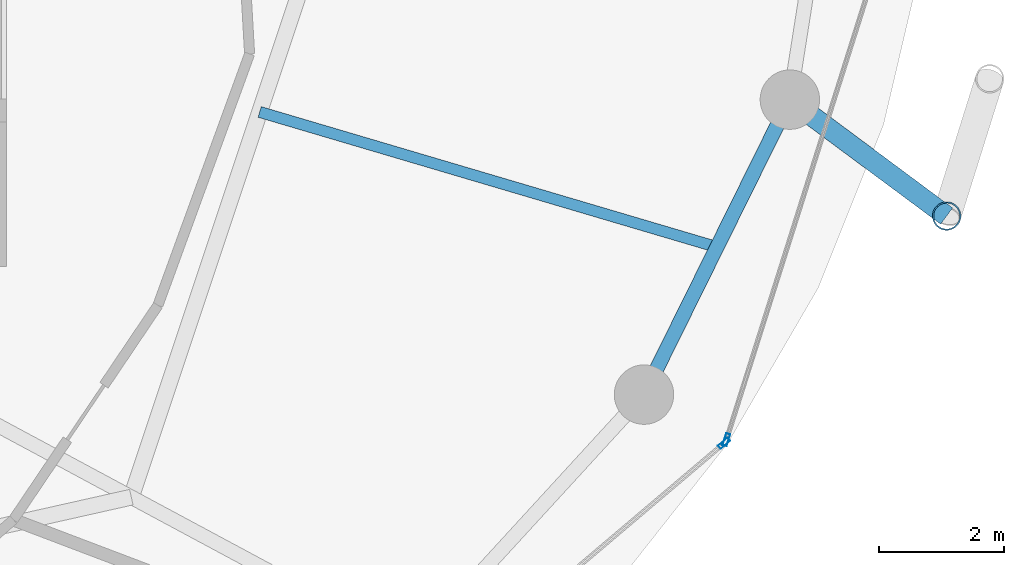
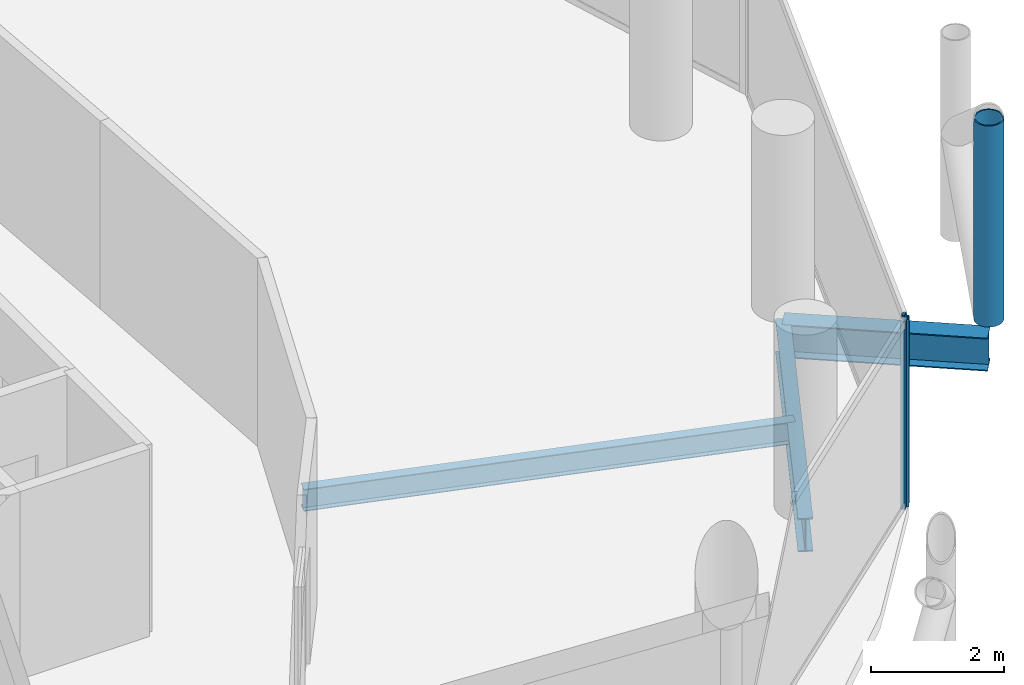
# One storey, part 10 of 26: 3 beams, 3 members, 2 elements without a shape of their own.
"""IFC4 building model written with IfcOpenShell, lengths in metres."""

import ifcopenshell
import ifcopenshell.guid

model = None  # the IFC model being written
_history = None  # IfcOwnerHistory: only IFC2X3 demands one
_inside = {}  # id of a spatial element -> (the spatial element, [elements in it])
_under = {}  # id of a project, library or spatial element -> (it, [spatial elements below it])
_declared = {}  # id of a project -> (the project, [libraries it declares])
_typed = {}  # id of a type object -> (the type object, [elements of that type])
_made_of = {}  # id of a material, layer set ... -> (it, [elements and type objects made of it])


def new_model(schema):
    """Start an empty IFC model of exactly this schema.

    Asked for "IFC4X3", IfcOpenShell would pick the latest addendum, in which some entities
    have other attributes; the version numbers below select the first issue.
    IFC2X3 requires an IfcOwnerHistory on every rooted entity: one is made here for all.
    """
    global model, _history
    if schema == "IFC4X3":
        model = ifcopenshell.file(schema_version=(4, 3, 0, 0))
    else:
        model = ifcopenshell.file(schema=schema)
    _inside.clear()
    _under.clear()
    _declared.clear()
    _typed.clear()
    _made_of.clear()
    _history = None
    if model.schema == "IFC2X3":
        org = make("IfcOrganization", Name="unknown")
        user = make(
            "IfcPersonAndOrganization",
            ThePerson=make("IfcPerson", FamilyName="unknown"),
            TheOrganization=org,
        )
        app = make(
            "IfcApplication",
            ApplicationDeveloper=org,
            Version="unknown",
            ApplicationFullName="unknown",
            ApplicationIdentifier="unknown",
        )
        _history = make(
            "IfcOwnerHistory",
            OwningUser=user,
            OwningApplication=app,
            ChangeAction="ADDED",
            CreationDate=0,
        )
    return model


def make(cls, **values):
    """One entity of the class cls with the attributes given. An attribute that is None is left unset."""
    return model.create_entity(
        cls, **{name: value for name, value in values.items() if value is not None}
    )


def rooted(cls, **values):
    """An entity with a GlobalId (a new one), such as an element, a storey or a relation."""
    return make(cls, GlobalId=ifcopenshell.guid.new(), OwnerHistory=_history, **values)


def si_unit(unit_type, name, prefix=None):
    """IfcSIUnit, for example si_unit("LENGTHUNIT", "METRE", prefix="MILLI")."""
    return make("IfcSIUnit", UnitType=unit_type, Prefix=prefix, Name=name)


def assignment(units):
    """IfcUnitAssignment: the units of a project."""
    return None if units is None else make("IfcUnitAssignment", Units=units)


def point(xyz):
    """IfcCartesianPoint."""
    return None if xyz is None else make("IfcCartesianPoint", Coordinates=xyz)


def direction(xyz):
    """IfcDirection."""
    return None if xyz is None else make("IfcDirection", DirectionRatios=xyz)


def frame(location, z_axis=None, x_axis=None):
    """IfcAxis2Placement3D, a coordinate frame: its origin and axes. An axis left out is left unset."""
    return make(
        "IfcAxis2Placement3D",
        Location=point(location),
        Axis=direction(z_axis),
        RefDirection=direction(x_axis),
    )


def frame_2d(location, x_axis=None):
    """IfcAxis2Placement2D, a coordinate frame in the plane: its origin and x axis."""
    return make(
        "IfcAxis2Placement2D", Location=point(location), RefDirection=direction(x_axis)
    )


def origin():
    """The frame at (0, 0, 0) with its axes left unset."""
    return frame((0.0, 0.0, 0.0))


def origin_2d():
    """The frame at (0, 0) in the plane with its x axis left unset."""
    return frame_2d((0.0, 0.0))


def place(relative_to, where):
    """IfcLocalPlacement: puts the frame where relative to a parent placement (None: the world)."""
    return make(
        "IfcLocalPlacement", PlacementRelTo=relative_to, RelativePlacement=where
    )


def context(
    kind, dimensions, precision=None, world=None, true_north=None, identifier=None
):
    """IfcGeometricRepresentationContext, for example the 3D "Model" context."""
    return make(
        "IfcGeometricRepresentationContext",
        ContextIdentifier=identifier,
        ContextType=kind,
        CoordinateSpaceDimension=dimensions,
        Precision=precision,
        WorldCoordinateSystem=world,
        TrueNorth=true_north,
    )


def subcontext(parent, identifier, kind, view, scale=None):
    """IfcGeometricRepresentationSubContext, for example "Body" below "Model"."""
    return make(
        "IfcGeometricRepresentationSubContext",
        ContextIdentifier=identifier,
        ContextType=kind,
        ParentContext=parent,
        TargetScale=scale,
        TargetView=view,
    )


def project(units=None, contexts=None):
    """IfcProject with its units and contexts."""
    return rooted(
        "IfcProject",
        Name="project",
        RepresentationContexts=contexts,
        UnitsInContext=assignment(units),
    )


def spatial(cls, under=None, at=None, **own):
    """A site, building, storey or space (cls), placed at a placement, below another one or the project."""
    s = rooted(cls, ObjectPlacement=at, **own)
    if under is not None:
        _under.setdefault(under.id(), (under, []))[1].append(s)
    return s


def profile(cls, at=None, kind="AREA", **sizes):
    """A parametric profile (cls). Its sizes go by their IFC names, for example OverallWidth=200.0."""
    return make(cls, ProfileType=kind, Position=at, **sizes)


def hollow_rectangle(**sizes):
    """IfcRectangleHollowProfileDef."""
    return profile("IfcRectangleHollowProfileDef", **sizes)


def hollow_circle(**sizes):
    """IfcCircleHollowProfileDef."""
    return profile("IfcCircleHollowProfileDef", **sizes)


def i_section(**sizes):
    """IfcIShapeProfileDef."""
    return profile("IfcIShapeProfileDef", **sizes)


def extrude(swept, where, along, depth):
    """IfcExtrudedAreaSolid: the profile swept, set in the frame where, extruded along a direction by depth."""
    return make(
        "IfcExtrudedAreaSolid",
        SweptArea=swept,
        Position=where,
        ExtrudedDirection=direction(along),
        Depth=depth,
    )


def shape(context_of_items, identifier, shape_type, items):
    """IfcShapeRepresentation: the items that make up one representation, for example the "Body"."""
    return make(
        "IfcShapeRepresentation",
        ContextOfItems=context_of_items,
        RepresentationIdentifier=identifier,
        RepresentationType=shape_type,
        Items=items,
    )


def material(Name=None, Category=None):
    """IfcMaterial."""
    return make("IfcMaterial", Name=Name, Category=Category)


def layer(
    of_material, thickness, ventilated=None, Name=None, Category=None, Priority=None
):
    """IfcMaterialLayer: one layer of a wall or slab, of a material (None: an air gap)."""
    return make(
        "IfcMaterialLayer",
        Material=of_material,
        LayerThickness=thickness,
        IsVentilated=ventilated,
        Name=Name,
        Category=Category,
        Priority=Priority,
    )


def layer_set(layers, Name=None):
    """IfcMaterialLayerSet."""
    return make("IfcMaterialLayerSet", MaterialLayers=layers, LayerSetName=Name)


def material_profile(
    of_material, cross_section, Name=None, Category=None, Priority=None
):
    """IfcMaterialProfile: a cross section and its material."""
    return make(
        "IfcMaterialProfile",
        Name=Name,
        Material=of_material,
        Profile=cross_section,
        Priority=Priority,
        Category=Category,
    )


def profile_set(profiles, Name=None, composite=None):
    """IfcMaterialProfileSet."""
    return make(
        "IfcMaterialProfileSet",
        Name=Name,
        MaterialProfiles=profiles,
        CompositeProfile=composite,
    )


def made_of(thing, what):
    """Note that an element or type object is made of a material, layer set ...; save() writes the relation."""
    if what is not None:
        _made_of.setdefault(what.id(), (what, []))[1].append(thing)
    return thing


def type_object(cls, material=None, **own):
    """A type object (cls), such as IfcWallType, which elements share."""
    return made_of(rooted(cls, **own), material)


def element(
    cls,
    number,
    at=None,
    inside=None,
    cuts=None,
    type_object=None,
    material=None,
    context=None,
    identifier="Body",
    shape_type=None,
    held_by="IfcProductDefinitionShape",
    body=None,
    shapes=None,
    **own,
):
    """One element of the class cls, such as IfcWall. Its Tag is "e" and its number.

    at: its placement. inside: the storey or other place that contains it. cuts: it is an
    opening in that element (IfcRelVoidsElement). A single representation is given by context,
    identifier, shape_type and body (its items); several are given by shapes. held_by: the class
    of the entity that holds the representations. save() writes the other relations.
    """
    e = rooted(cls, Tag="e%d" % number, ObjectPlacement=at, **own)
    if body is not None:
        shapes = [shape(context, identifier, shape_type, body)]
    if shapes is not None:
        e.Representation = make(held_by, Representations=shapes)
    if inside is not None:
        _inside.setdefault(inside.id(), (inside, []))[1].append(e)
    if cuts is not None:
        rooted(
            "IfcRelVoidsElement", RelatingBuildingElement=cuts, RelatedOpeningElement=e
        )
    if type_object is not None:
        _typed.setdefault(type_object.id(), (type_object, []))[1].append(e)
    return made_of(e, material)


def aggregate(whole, parts):
    """IfcRelAggregates: a whole, such as a stair, and the parts it consists of."""
    return rooted("IfcRelAggregates", RelatingObject=whole, RelatedObjects=parts)


def save(model, path):
    """Write the relations noted so far, then the file.

    IfcRelAggregates (storeys below a building ...), IfcRelContainedInSpatialStructure (elements
    in a storey), IfcRelDefinesByType, IfcRelAssociatesMaterial and IfcRelDeclares: one each for
    every whole, place, type object, material and project.
    """
    for whole, parts in _under.values():
        aggregate(whole, parts)
    for where, things in _inside.values():
        rooted(
            "IfcRelContainedInSpatialStructure",
            RelatedElements=things,
            RelatingStructure=where,
        )
    for kind, things in _typed.values():
        rooted("IfcRelDefinesByType", RelatedObjects=things, RelatingType=kind)
    for what, things in _made_of.values():
        rooted("IfcRelAssociatesMaterial", RelatedObjects=things, RelatingMaterial=what)
    for by, libraries in _declared.values():
        rooted("IfcRelDeclares", RelatingContext=by, RelatedDefinitions=libraries)
    model.write(path)


model = new_model("IFC4")

# Units and contexts
model_context = context("Model", 3, precision=1e-05, world=origin(), true_north=direction((0.0, 1.0)))
body_context = subcontext(model_context, "Body", "Model", "MODEL_VIEW")
ifc_project = project(units=[si_unit("LENGTHUNIT", "METRE"), si_unit("AREAUNIT", "SQUARE_METRE"), si_unit("VOLUMEUNIT", "CUBIC_METRE"), si_unit("PLANEANGLEUNIT", "RADIAN"), si_unit("MASSUNIT", "GRAM", prefix="KILO")], contexts=[model_context])

# Site, building, storey
site_placement = place(None, origin())
site = spatial("IfcSite", under=ifc_project, at=site_placement, CompositionType="ELEMENT")
building_placement = place(site_placement, origin())
building = spatial("IfcBuilding", under=site, at=building_placement, Name="Nuhasar Tower", CompositionType="ELEMENT")
storey_placement = place(building_placement, frame((0.0, 0.0, 144.14990234375)))
storey = spatial("IfcBuildingStorey", under=building, at=storey_placement, Name="L34", CompositionType="ELEMENT", Elevation=144.14990234375)

# Beams
ifc_material_1 = material(Name="Steel S355", Category="steel")
ifc_material_profile_1 = material_profile(ifc_material_1, i_section(OverallWidth=0.177978515625, OverallDepth=0.406005859375, WebThickness=0.0078125, FlangeThickness=0.0126953125, at=origin_2d()), Name="W16X40")
ifc_profile_set_1 = profile_set([ifc_material_profile_1], Name="Steel S355")
beam_type_1 = type_object("IfcBeamType", Name="BM-JST-W16X40", PredefinedType="JOIST", material=ifc_profile_set_1)
beam_1_placement = place(storey_placement, frame((53.0791015625, 21.54296875, -0.452880859375), z_axis=(0.959000494697, -0.283404395116, 0.0), x_axis=(0.283404395116, 0.959000494697, 0.0)))
element("IfcBeam", 1, at=beam_1_placement, inside=storey, type_object=beam_type_1, Name="L34 Secondary Floor Joist 03", PredefinedType="JOIST", context=body_context, shape_type="SweptSolid", body=[
    extrude(i_section(OverallWidth=0.177978515625, OverallDepth=0.406005859375, WebThickness=0.0078125, FlangeThickness=0.0126953125, at=origin_2d()), origin(), (0.0, 0.0, 1.0), 7.621337890625),
])
ifc_material_profile_2 = material_profile(ifc_material_1, i_section(OverallWidth=0.22998046875, OverallDepth=0.616943359375, WebThickness=0.01318359375, FlangeThickness=0.022216796875, at=origin_2d()), Name="W24X94")
ifc_profile_set_2 = profile_set([ifc_material_profile_2], Name="Steel S355")
beam_type_2 = type_object("IfcBeamType", Name="BM-RING-W24X94", PredefinedType="SPANDREL", material=ifc_profile_set_2)
beam_2_placement = place(storey_placement, frame((59.221923828125, 17.02490234375, -0.558837890625), z_axis=(0.443329327657, 0.896358804966, 0.0), x_axis=(-0.896358804966, 0.443329327657, 0.0)))
element("IfcBeam", 2, at=beam_2_placement, inside=storey, type_object=beam_type_2, Name="L34 Perimeter Ring Spandrel 23", PredefinedType="SPANDREL", context=body_context, shape_type="SweptSolid", body=[
    extrude(i_section(OverallWidth=0.22998046875, OverallDepth=0.616943359375, WebThickness=0.01318359375, FlangeThickness=0.022216796875, at=origin_2d()), origin(), (0.0, 0.0, 1.0), 5.26025390625),
])
ifc_material_profile_3 = material_profile(ifc_material_1, i_section(OverallWidth=0.323974609375, OverallDepth=0.611083984375, WebThickness=0.0126953125, FlangeThickness=0.01904296875, at=origin_2d()), Name="W24X104")
ifc_profile_set_3 = profile_set([ifc_material_profile_3], Name="Steel S355")
beam_type_3 = type_object("IfcBeamType", Name="BM-TIE-W24X104", PredefinedType="BEAM", material=ifc_profile_set_3)
beam_3_placement = place(storey_placement, frame((61.553955078125, 21.739990234375, -0.554931640625), z_axis=(0.80283476238, -0.596201597041, 0.0), x_axis=(0.596201597041, 0.80283476238, 0.0)))
element("IfcBeam", 3, at=beam_3_placement, inside=storey, type_object=beam_type_3, Name="L34 Exoskeleton Node Tie Beam 12", PredefinedType="BEAM", context=body_context, shape_type="SweptSolid", body=[
    extrude(i_section(OverallWidth=0.323974609375, OverallDepth=0.611083984375, WebThickness=0.0126953125, FlangeThickness=0.01904296875, at=origin_2d()), origin(), (0.0, 0.0, 1.0), 3.12158203125),
])

# Curtain wall, member
ifc_material_2 = material(Name="Aluminium 6063-T6", Category="aluminium")
ifc_layer = layer(ifc_material_2, 0.199951171875)
ifc_layer_set = layer_set([ifc_layer], Name="Aluminium 6063-T6")
curtain_wall_type = type_object("IfcCurtainWallType", Name="CW-Z2-HTL", PredefinedType="NOTDEFINED", material=ifc_layer_set)
curtain_wall_1_placement = place(storey_placement, origin())
curtain_wall_1 = element("IfcCurtainWall", 4, at=curtain_wall_1_placement, inside=storey, type_object=curtain_wall_type, Name="L34 Unitised Curtain Wall 11", PredefinedType="NOTDEFINED")
ifc_material_profile_4 = material_profile(ifc_material_2, hollow_rectangle(XDim=0.070068359375, YDim=0.199951171875, WallThickness=0.0048828125, at=origin_2d()), Name="CWM-3")
ifc_profile_set_4 = profile_set([ifc_material_profile_4], Name="Aluminium 6063-T6")
member_type_1 = type_object("IfcMemberType", Name="CW-MUL-S3", PredefinedType="MULLION", material=ifc_profile_set_4)
member_1_placement = place(storey_placement, frame((60.502197265625, 16.247314453125, 0.0), z_axis=(0.0, 0.0, 1.0), x_axis=(-0.646374438324, 0.763020370292, 0.0)))
member_1 = element("IfcMember", 5, at=member_1_placement, type_object=member_type_1, Name="CW-Z2 mullion 2", PredefinedType="MULLION", context=body_context, shape_type="SweptSolid", body=[
    extrude(hollow_rectangle(XDim=0.070068359375, YDim=0.199951171875, WallThickness=0.0048828125, at=origin_2d()), origin(), (0.0, 0.0, 1.0), 3.4501953125),
])
aggregate(curtain_wall_1, [member_1])

curtain_wall_2_placement = place(storey_placement, origin())
curtain_wall_2 = element("IfcCurtainWall", 6, at=curtain_wall_2_placement, inside=storey, type_object=curtain_wall_type, Name="L34 Unitised Curtain Wall 12", PredefinedType="NOTDEFINED")
member_2_placement = place(storey_placement, frame((60.53955078125, 16.303466796875, 0.0), z_axis=(0.0, 0.0, 1.0), x_axis=(-0.953433389233, 0.301603667577, 0.0)))
member_2 = element("IfcMember", 7, at=member_2_placement, type_object=member_type_1, Name="CW-Z2 mullion 1", PredefinedType="MULLION", context=body_context, shape_type="SweptSolid", body=[
    extrude(hollow_rectangle(XDim=0.070068359375, YDim=0.199951171875, WallThickness=0.0048828125, at=origin_2d()), origin(), (0.0, 0.0, 1.0), 3.4501953125),
])
aggregate(curtain_wall_2, [member_2])

# Member
ifc_material_3 = material(Name="Steel S460", Category="steel")
ifc_material_profile_5 = material_profile(ifc_material_3, hollow_circle(Radius=0.228515625, WallThickness=0.022216796875, at=origin_2d()), Name="HSS457X22.2")
ifc_profile_set_5 = profile_set([ifc_material_profile_5], Name="Steel S460")
member_type_2 = type_object("IfcMemberType", Name="EXO-BRONZE-457", PredefinedType="BRACE", material=ifc_profile_set_5)
member_3_placement = place(storey_placement, frame((64.06005859375, 19.87890625, 0.0), z_axis=(0.0, 0.0, 1.0), x_axis=(1.0, 0.0, 0.0)))
element("IfcMember", 8, at=member_3_placement, inside=storey, type_object=member_type_2, Name="L34 Exoskeleton Chord Column EC-12A", PredefinedType="BRACE", context=body_context, shape_type="SweptSolid", body=[
    extrude(hollow_circle(Radius=0.228515625, WallThickness=0.022216796875, at=origin_2d()), origin(), (0.0, 0.0, 1.0), 3.7001953125),
])

save(model, "model.ifc")
